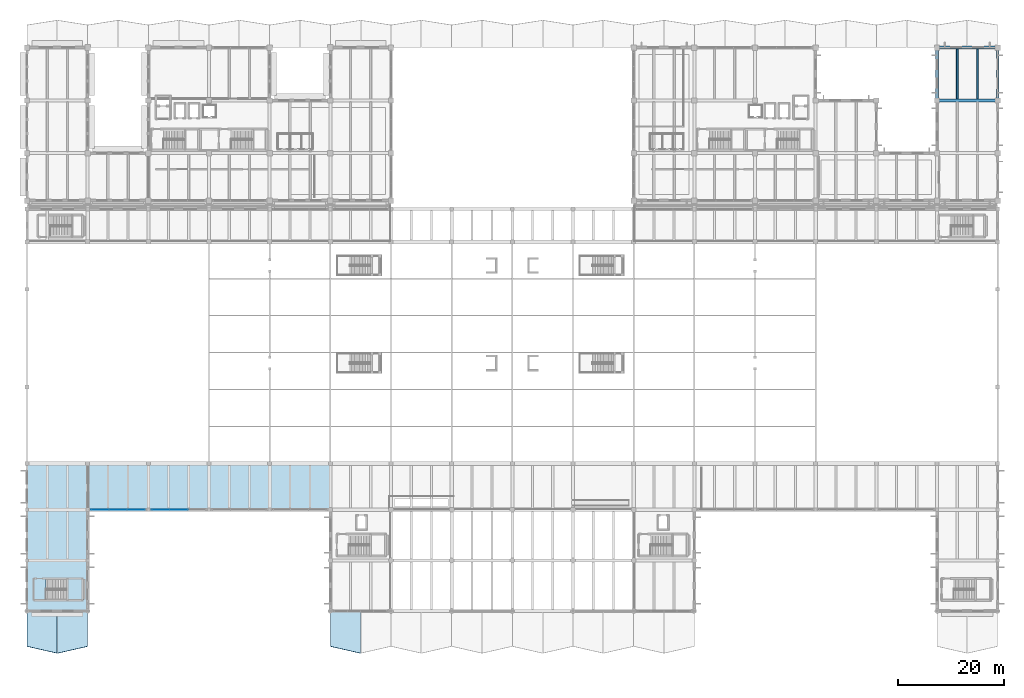
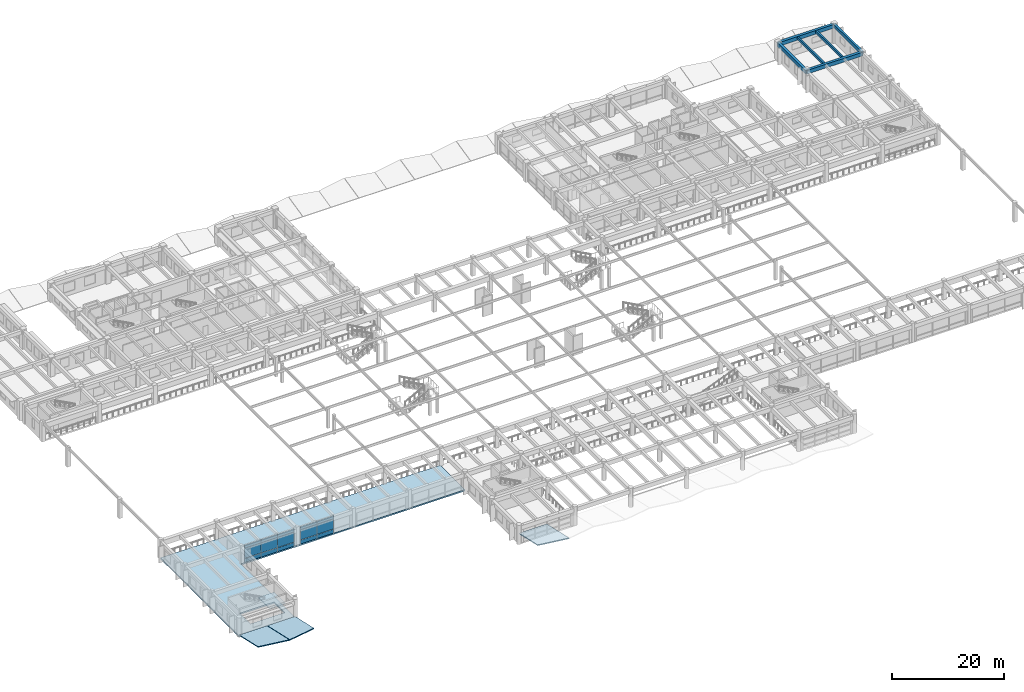
# One storey, part 63 of 98: 15 plates, 6 beams, 5 slabs, 3 elements without a shape of their own.
"""IFC4 building model written with IfcOpenShell, lengths in metres."""

import ifcopenshell
import ifcopenshell.guid

model = None  # the IFC model being written
_history = None  # IfcOwnerHistory: only IFC2X3 demands one
_inside = {}  # id of a spatial element -> (the spatial element, [elements in it])
_under = {}  # id of a project, library or spatial element -> (it, [spatial elements below it])
_declared = {}  # id of a project -> (the project, [libraries it declares])
_typed = {}  # id of a type object -> (the type object, [elements of that type])
_made_of = {}  # id of a material, layer set ... -> (it, [elements and type objects made of it])


def new_model(schema):
    """Start an empty IFC model of exactly this schema.

    Asked for "IFC4X3", IfcOpenShell would pick the latest addendum, in which some entities
    have other attributes; the version numbers below select the first issue.
    IFC2X3 requires an IfcOwnerHistory on every rooted entity: one is made here for all.
    """
    global model, _history
    if schema == "IFC4X3":
        model = ifcopenshell.file(schema_version=(4, 3, 0, 0))
    else:
        model = ifcopenshell.file(schema=schema)
    _inside.clear()
    _under.clear()
    _declared.clear()
    _typed.clear()
    _made_of.clear()
    _history = None
    if model.schema == "IFC2X3":
        org = make("IfcOrganization", Name="unknown")
        user = make(
            "IfcPersonAndOrganization",
            ThePerson=make("IfcPerson", FamilyName="unknown"),
            TheOrganization=org,
        )
        app = make(
            "IfcApplication",
            ApplicationDeveloper=org,
            Version="unknown",
            ApplicationFullName="unknown",
            ApplicationIdentifier="unknown",
        )
        _history = make(
            "IfcOwnerHistory",
            OwningUser=user,
            OwningApplication=app,
            ChangeAction="ADDED",
            CreationDate=0,
        )
    return model


def make(cls, **values):
    """One entity of the class cls with the attributes given. An attribute that is None is left unset."""
    return model.create_entity(
        cls, **{name: value for name, value in values.items() if value is not None}
    )


def rooted(cls, **values):
    """An entity with a GlobalId (a new one), such as an element, a storey or a relation."""
    return make(cls, GlobalId=ifcopenshell.guid.new(), OwnerHistory=_history, **values)


def si_unit(unit_type, name, prefix=None):
    """IfcSIUnit, for example si_unit("LENGTHUNIT", "METRE", prefix="MILLI")."""
    return make("IfcSIUnit", UnitType=unit_type, Prefix=prefix, Name=name)


def assignment(units):
    """IfcUnitAssignment: the units of a project."""
    return None if units is None else make("IfcUnitAssignment", Units=units)


def point(xyz):
    """IfcCartesianPoint."""
    return None if xyz is None else make("IfcCartesianPoint", Coordinates=xyz)


def direction(xyz):
    """IfcDirection."""
    return None if xyz is None else make("IfcDirection", DirectionRatios=xyz)


def frame(location, z_axis=None, x_axis=None):
    """IfcAxis2Placement3D, a coordinate frame: its origin and axes. An axis left out is left unset."""
    return make(
        "IfcAxis2Placement3D",
        Location=point(location),
        Axis=direction(z_axis),
        RefDirection=direction(x_axis),
    )


def frame_2d(location, x_axis=None):
    """IfcAxis2Placement2D, a coordinate frame in the plane: its origin and x axis."""
    return make(
        "IfcAxis2Placement2D", Location=point(location), RefDirection=direction(x_axis)
    )


def origin():
    """The frame at (0, 0, 0) with its axes left unset."""
    return frame((0.0, 0.0, 0.0))


def origin_2d():
    """The frame at (0, 0) in the plane with its x axis left unset."""
    return frame_2d((0.0, 0.0))


def place(relative_to, where):
    """IfcLocalPlacement: puts the frame where relative to a parent placement (None: the world)."""
    return make(
        "IfcLocalPlacement", PlacementRelTo=relative_to, RelativePlacement=where
    )


def context(
    kind, dimensions, precision=None, world=None, true_north=None, identifier=None
):
    """IfcGeometricRepresentationContext, for example the 3D "Model" context."""
    return make(
        "IfcGeometricRepresentationContext",
        ContextIdentifier=identifier,
        ContextType=kind,
        CoordinateSpaceDimension=dimensions,
        Precision=precision,
        WorldCoordinateSystem=world,
        TrueNorth=true_north,
    )


def subcontext(parent, identifier, kind, view, scale=None):
    """IfcGeometricRepresentationSubContext, for example "Body" below "Model"."""
    return make(
        "IfcGeometricRepresentationSubContext",
        ContextIdentifier=identifier,
        ContextType=kind,
        ParentContext=parent,
        TargetScale=scale,
        TargetView=view,
    )


def project(units=None, contexts=None):
    """IfcProject with its units and contexts."""
    return rooted(
        "IfcProject",
        Name="project",
        RepresentationContexts=contexts,
        UnitsInContext=assignment(units),
    )


def spatial(cls, under=None, at=None, **own):
    """A site, building, storey or space (cls), placed at a placement, below another one or the project."""
    s = rooted(cls, ObjectPlacement=at, **own)
    if under is not None:
        _under.setdefault(under.id(), (under, []))[1].append(s)
    return s


def polyline(points):
    """IfcPolyline through the points."""
    return make("IfcPolyline", Points=[point(p) for p in points])


def profile(cls, at=None, kind="AREA", **sizes):
    """A parametric profile (cls). Its sizes go by their IFC names, for example OverallWidth=200.0."""
    return make(cls, ProfileType=kind, Position=at, **sizes)


def rectangle(**sizes):
    """IfcRectangleProfileDef."""
    return profile("IfcRectangleProfileDef", **sizes)


def outline(outer, holes=None, kind="AREA"):
    """IfcArbitraryClosedProfileDef: a profile drawn as a closed curve; with holes, ...WithVoids."""
    if holes is None:
        return make("IfcArbitraryClosedProfileDef", ProfileType=kind, OuterCurve=outer)
    return make(
        "IfcArbitraryProfileDefWithVoids",
        ProfileType=kind,
        OuterCurve=outer,
        InnerCurves=holes,
    )


def extrude(swept, where, along, depth):
    """IfcExtrudedAreaSolid: the profile swept, set in the frame where, extruded along a direction by depth."""
    return make(
        "IfcExtrudedAreaSolid",
        SweptArea=swept,
        Position=where,
        ExtrudedDirection=direction(along),
        Depth=depth,
    )


def shape(context_of_items, identifier, shape_type, items):
    """IfcShapeRepresentation: the items that make up one representation, for example the "Body"."""
    return make(
        "IfcShapeRepresentation",
        ContextOfItems=context_of_items,
        RepresentationIdentifier=identifier,
        RepresentationType=shape_type,
        Items=items,
    )


def material(Name=None, Category=None):
    """IfcMaterial."""
    return make("IfcMaterial", Name=Name, Category=Category)


def layer(
    of_material, thickness, ventilated=None, Name=None, Category=None, Priority=None
):
    """IfcMaterialLayer: one layer of a wall or slab, of a material (None: an air gap)."""
    return make(
        "IfcMaterialLayer",
        Material=of_material,
        LayerThickness=thickness,
        IsVentilated=ventilated,
        Name=Name,
        Category=Category,
        Priority=Priority,
    )


def layer_set(layers, Name=None):
    """IfcMaterialLayerSet."""
    return make("IfcMaterialLayerSet", MaterialLayers=layers, LayerSetName=Name)


def material_profile(
    of_material, cross_section, Name=None, Category=None, Priority=None
):
    """IfcMaterialProfile: a cross section and its material."""
    return make(
        "IfcMaterialProfile",
        Name=Name,
        Material=of_material,
        Profile=cross_section,
        Priority=Priority,
        Category=Category,
    )


def profile_set(profiles, Name=None, composite=None):
    """IfcMaterialProfileSet."""
    return make(
        "IfcMaterialProfileSet",
        Name=Name,
        MaterialProfiles=profiles,
        CompositeProfile=composite,
    )


def made_of(thing, what):
    """Note that an element or type object is made of a material, layer set ...; save() writes the relation."""
    if what is not None:
        _made_of.setdefault(what.id(), (what, []))[1].append(thing)
    return thing


def type_object(cls, material=None, **own):
    """A type object (cls), such as IfcWallType, which elements share."""
    return made_of(rooted(cls, **own), material)


def element(
    cls,
    number,
    at=None,
    inside=None,
    cuts=None,
    type_object=None,
    material=None,
    context=None,
    identifier="Body",
    shape_type=None,
    held_by="IfcProductDefinitionShape",
    body=None,
    shapes=None,
    **own,
):
    """One element of the class cls, such as IfcWall. Its Tag is "e" and its number.

    at: its placement. inside: the storey or other place that contains it. cuts: it is an
    opening in that element (IfcRelVoidsElement). A single representation is given by context,
    identifier, shape_type and body (its items); several are given by shapes. held_by: the class
    of the entity that holds the representations. save() writes the other relations.
    """
    e = rooted(cls, Tag="e%d" % number, ObjectPlacement=at, **own)
    if body is not None:
        shapes = [shape(context, identifier, shape_type, body)]
    if shapes is not None:
        e.Representation = make(held_by, Representations=shapes)
    if inside is not None:
        _inside.setdefault(inside.id(), (inside, []))[1].append(e)
    if cuts is not None:
        rooted(
            "IfcRelVoidsElement", RelatingBuildingElement=cuts, RelatedOpeningElement=e
        )
    if type_object is not None:
        _typed.setdefault(type_object.id(), (type_object, []))[1].append(e)
    return made_of(e, material)


def aggregate(whole, parts):
    """IfcRelAggregates: a whole, such as a stair, and the parts it consists of."""
    return rooted("IfcRelAggregates", RelatingObject=whole, RelatedObjects=parts)


def save(model, path):
    """Write the relations noted so far, then the file.

    IfcRelAggregates (storeys below a building ...), IfcRelContainedInSpatialStructure (elements
    in a storey), IfcRelDefinesByType, IfcRelAssociatesMaterial and IfcRelDeclares: one each for
    every whole, place, type object, material and project.
    """
    for whole, parts in _under.values():
        aggregate(whole, parts)
    for where, things in _inside.values():
        rooted(
            "IfcRelContainedInSpatialStructure",
            RelatedElements=things,
            RelatingStructure=where,
        )
    for kind, things in _typed.values():
        rooted("IfcRelDefinesByType", RelatedObjects=things, RelatingType=kind)
    for what, things in _made_of.values():
        rooted("IfcRelAssociatesMaterial", RelatedObjects=things, RelatingMaterial=what)
    for by, libraries in _declared.values():
        rooted("IfcRelDeclares", RelatingContext=by, RelatedDefinitions=libraries)
    model.write(path)


model = new_model("IFC4")

# Units and contexts
model_context = context("Model", 3, precision=1e-05, world=origin(), true_north=direction((0.0, 1.0)))
body_context = subcontext(model_context, "Body", "Model", "MODEL_VIEW")
ifc_project = project(units=[si_unit("LENGTHUNIT", "METRE"), si_unit("AREAUNIT", "SQUARE_METRE"), si_unit("VOLUMEUNIT", "CUBIC_METRE"), si_unit("PLANEANGLEUNIT", "RADIAN"), si_unit("MASSUNIT", "GRAM", prefix="KILO")], contexts=[model_context])

# Site, building, storey
site_placement = place(None, origin())
site = spatial("IfcSite", under=ifc_project, at=site_placement, CompositionType="ELEMENT")
building_placement = place(site_placement, origin())
building = spatial("IfcBuilding", under=site, at=building_placement, Name="Ologun Quay Terminus", CompositionType="ELEMENT")
storey_placement = place(building_placement, frame((0.0, 0.0, 4.199951171875)))
storey = spatial("IfcBuildingStorey", under=building, at=storey_placement, Name="L01", CompositionType="ELEMENT", Elevation=4.199951171875)

# Beams
ifc_material_1 = material(Name="Concrete C40/50", Category="concrete")
ifc_material_profile_1 = material_profile(ifc_material_1, rectangle(XDim=0.550048828125, YDim=0.800048828125, at=origin_2d()), Name="RC 550x800")
ifc_profile_set_1 = profile_set([ifc_material_profile_1], Name="Concrete C40/50")
beam_type_1 = type_object("IfcBeamType", Name="Courtyard Wing Primary Girder 550x800", PredefinedType="BEAM", material=ifc_profile_set_1)
for number, where, z_axis, x_axis, name in (
    (1, (172.5, 104.800048828125, 3.550048828125), (1.0, 0.0, 0.0), (0.0, 1.0, 0.0), "B4 Beam 16/J L01"),
    (2, (172.5, 114.800048828125, 3.550048828125), (1.0, 0.0, 0.0), (0.0, 1.0, 0.0), "B4 Beam 16/K L01"),
):
    element("IfcBeam", number, at=place(storey_placement, frame(where, z_axis=z_axis, x_axis=x_axis)), inside=storey, type_object=beam_type_1, Name=name, PredefinedType="BEAM", context=body_context, shape_type="SweptSolid", body=[
        extrude(rectangle(XDim=0.550048828125, YDim=0.800048828125, at=origin_2d()), origin(), (0.0, 0.0, 1.0), 11.5),
    ])
beam_1_placement = place(storey_placement, frame((172.5, 104.800048828125, 3.550048828125), z_axis=(0.0, 1.0, 0.0), x_axis=(-1.0, 0.0, 0.0)))
element("IfcBeam", 3, at=beam_1_placement, inside=storey, type_object=beam_type_1, Name="B4 Beam 16/J L01", PredefinedType="BEAM", context=body_context, shape_type="SweptSolid", body=[
    extrude(rectangle(XDim=0.550048828125, YDim=0.800048828125, at=origin_2d()), origin(), (0.0, 0.0, 1.0), 10.0),
])
ifc_material_2 = material(Name="Concrete C40/50", Category="concrete")
ifc_material_profile_2 = material_profile(ifc_material_2, rectangle(XDim=0.35009765625, YDim=0.550048828125, at=origin_2d()), Name="RC 350x550")
ifc_profile_set_2 = profile_set([ifc_material_profile_2], Name="Concrete C40/50")
beam_type_2 = type_object("IfcBeamType", Name="Courtyard Wing Secondary Joist 350x550", PredefinedType="JOIST", material=ifc_profile_set_2)
for number, where, z_axis, x_axis, name in (
    (4, (176.333251953125, 105.074951171875, 3.675048828125), (0.0, 1.0, 0.0), (-1.0, 0.0, 0.0), "J2 Beam 16/J L01"),
    (5, (180.166748046875, 105.074951171875, 3.675048828125), (0.0, 1.0, 0.0), (-1.0, 0.0, 0.0), "J2 Beam 16/J L01"),
):
    element("IfcBeam", number, at=place(storey_placement, frame(where, z_axis=z_axis, x_axis=x_axis)), inside=storey, type_object=beam_type_2, Name=name, PredefinedType="JOIST", context=body_context, shape_type="SweptSolid", body=[
        extrude(rectangle(XDim=0.35009765625, YDim=0.550048828125, at=origin_2d()), origin(), (0.0, 0.0, 1.0), 9.449951171875),
    ])
ifc_material_3 = material(Name="Concrete C40/50", Category="concrete")
ifc_material_profile_3 = material_profile(ifc_material_3, rectangle(XDim=0.449951171875, YDim=0.699951171875, at=origin_2d()), Name="RC 450x700")
ifc_profile_set_3 = profile_set([ifc_material_profile_3], Name="Concrete C40/50")
beam_type_3 = type_object("IfcBeamType", Name="Perimeter Spandrel Beam 450x700", PredefinedType="SPANDREL", material=ifc_profile_set_3)
beam_2_placement = place(storey_placement, frame((184.0, 104.800048828125, 3.60009765625), z_axis=(0.0, 1.0, 0.0), x_axis=(-1.0, 0.0, 0.0)))
element("IfcBeam", 6, at=beam_2_placement, inside=storey, type_object=beam_type_3, Name="SP1 Beam 17/J L01", PredefinedType="SPANDREL", context=body_context, shape_type="SweptSolid", body=[
    extrude(rectangle(XDim=0.449951171875, YDim=0.699951171875, at=origin_2d()), origin(), (0.0, 0.0, 1.0), 10.0),
])

# Slabs
ifc_material_4 = material(Name="Concrete C45/55", Category="concrete")
ifc_layer_1 = layer(ifc_material_4, 0.179931640625)
ifc_layer_set_1 = layer_set([ifc_layer_1], Name="Concrete C45/55")
slab_type_1 = type_object("IfcSlabType", Name="Folded Plate Concrete Canopy Slab 180", PredefinedType="ROOF", material=ifc_layer_set_1)
slab_1_placement = place(storey_placement, frame((0.0, 1.300048828125, 1.70751953125), z_axis=(3.569272e-06, 0.219520291869, 0.975607934288), x_axis=(0.97392089365, -0.221354342059, 0.049803093927)))
element("IfcSlab", 7, at=slab_1_placement, inside=storey, type_object=slab_type_1, Name="SL-CNP South Gull-Wing Canopy Bay 1W", PredefinedType="ROOF", context=body_context, shape_type="SweptSolid", body=[
    extrude(outline(polyline([(0.0, 0.0), (5.873136864087274, -6.938893903907228e-17), (4.012654126758083, 7.986161766913908), (-1.5581448520785426, 6.6883699571137765), (0.0, 0.0)])), origin(), (0.0, 0.0, -1.0), 0.179931640625),
])
slab_2_placement = place(storey_placement, frame((5.780029296875, 0.0, 2.0), z_axis=(-3.569272e-06, 0.219520291869, 0.975607934288), x_axis=(0.97392089365, 0.221354342059, -0.049803093927)))
element("IfcSlab", 8, at=slab_2_placement, inside=storey, type_object=slab_type_1, Name="SL-CNP South Gull-Wing Canopy Bay 1E", PredefinedType="ROOF", context=body_context, shape_type="SweptSolid", body=[
    extrude(outline(polyline([(0.0, 0.0), (5.873136864087274, 6.938893903907228e-17), (7.431281716165817, 6.6883699571137765), (1.8604827373291908, 7.986161766913907), (0.0, 0.0)])), origin(), (0.0, 0.0, -1.0), 0.179931640625),
])
slab_3_placement = place(storey_placement, frame((57.5, 1.300048828125, 3.70751953125), z_axis=(3.569272e-06, 0.219520291869, 0.975607934288), x_axis=(0.97392089365, -0.221354342059, 0.049803093927)))
element("IfcSlab", 9, at=slab_3_placement, inside=storey, type_object=slab_type_1, Name="SL-CNP South Gull-Wing Canopy Bay 6W", PredefinedType="ROOF", context=body_context, shape_type="SweptSolid", body=[
    extrude(outline(polyline([(0.0, 0.0), (5.873136864087274, -6.938893903907228e-17), (4.012654126758083, 7.986161766913908), (-1.5581448520785426, 6.6883699571137765), (0.0, 0.0)])), origin(), (0.0, 0.0, -1.0), 0.179931640625),
])

# Curtain wall, plates
ifc_material_5 = material(Name="Aluminium 6063-T6", Category="aluminium")
curtain_wall_type = type_object("IfcCurtainWallType", Name="Forecourt Mezzanine Curtain Wall 10700x3850", PredefinedType="USERDEFINED", material=ifc_material_5)
curtain_wall_1_placement = place(storey_placement, origin())
curtain_wall_1 = element("IfcCurtainWall", 10, at=curtain_wall_1_placement, inside=storey, type_object=curtain_wall_type, Name="CW-04 Curtain Wall CW-L01-010", ObjectType="UNITISED CURTAIN WALL", PredefinedType="USERDEFINED")
ifc_material_6 = material(Name="Aluminium 6063-T6", Category="aluminium")
ifc_layer_2 = layer(ifc_material_6, 0.050048828125)
ifc_layer_set_2 = layer_set([ifc_layer_2], Name="Aluminium 6063-T6")
plate_type_1 = type_object("IfcPlateType", Name="Insulated Aluminium Shadow-Box Spandrel 50", PredefinedType="CURTAIN_PANEL", material=ifc_layer_set_2)
plate_1_placement = place(storey_placement, frame((13.86328125, 27.199951171875, 0.02978515625), z_axis=(0.0, 0.0, 1.0), x_axis=(1.0, 0.0, 0.0)))
plate_1 = element("IfcPlate", 11, at=plate_1_placement, type_object=plate_type_1, Name="CW-L01-010 Panel B1-1", PredefinedType="CURTAIN_PANEL", context=body_context, shape_type="SweptSolid", body=[
    extrude(rectangle(XDim=3.38671875, YDim=0.050048828125, at=origin_2d()), origin(), (0.0, 0.0, 1.0), 0.840087890625),
])
plate_2_placement = place(storey_placement, frame((17.25, 27.199951171875, 0.02978515625), z_axis=(0.0, 0.0, 1.0), x_axis=(1.0, 0.0, 0.0)))
plate_2 = element("IfcPlate", 12, at=plate_2_placement, type_object=plate_type_1, Name="CW-L01-010 Panel B2-1", PredefinedType="CURTAIN_PANEL", context=body_context, shape_type="SweptSolid", body=[
    extrude(rectangle(XDim=3.38671875, YDim=0.050048828125, at=origin_2d()), origin(), (0.0, 0.0, 1.0), 0.840087890625),
])
plate_3_placement = place(storey_placement, frame((20.63671875, 27.199951171875, 0.02978515625), z_axis=(0.0, 0.0, 1.0), x_axis=(1.0, 0.0, 0.0)))
plate_3 = element("IfcPlate", 13, at=plate_3_placement, type_object=plate_type_1, Name="CW-L01-010 Panel B3-1", PredefinedType="CURTAIN_PANEL", context=body_context, shape_type="SweptSolid", body=[
    extrude(rectangle(XDim=3.38671875, YDim=0.050048828125, at=origin_2d()), origin(), (0.0, 0.0, 1.0), 0.840087890625),
])

curtain_wall_2_placement = place(storey_placement, origin())
curtain_wall_2 = element("IfcCurtainWall", 14, at=curtain_wall_2_placement, inside=storey, type_object=curtain_wall_type, Name="CW-04 Curtain Wall CW-L01-011", ObjectType="UNITISED CURTAIN WALL", PredefinedType="USERDEFINED")
plate_4_placement = place(storey_placement, frame((25.36328125, 27.199951171875, 0.02978515625), z_axis=(0.0, 0.0, 1.0), x_axis=(1.0, 0.0, 0.0)))
plate_4 = element("IfcPlate", 15, at=plate_4_placement, type_object=plate_type_1, Name="CW-L01-011 Panel B1-1", PredefinedType="CURTAIN_PANEL", context=body_context, shape_type="SweptSolid", body=[
    extrude(rectangle(XDim=3.38671875, YDim=0.050048828125, at=origin_2d()), origin(), (0.0, 0.0, 1.0), 0.840087890625),
])
plate_5_placement = place(storey_placement, frame((28.75, 27.199951171875, 0.02978515625), z_axis=(0.0, 0.0, 1.0), x_axis=(1.0, 0.0, 0.0)))
plate_5 = element("IfcPlate", 16, at=plate_5_placement, type_object=plate_type_1, Name="CW-L01-011 Panel B2-1", PredefinedType="CURTAIN_PANEL", context=body_context, shape_type="SweptSolid", body=[
    extrude(rectangle(XDim=3.38671875, YDim=0.050048828125, at=origin_2d()), origin(), (0.0, 0.0, 1.0), 0.840087890625),
])

# Slab
ifc_material_7 = material(Name="Concrete C40/50", Category="concrete")
ifc_layer_3 = layer(ifc_material_7, 0.300048828125)
ifc_layer_set_3 = layer_set([ifc_layer_3], Name="Concrete C40/50")
slab_type_2 = type_object("IfcSlabType", Name="Passenger Platform Deck Slab 300", PredefinedType="FLOOR", material=ifc_layer_set_3)
slab_4_placement = place(storey_placement, frame((0.0, 0.0, -0.300048828125)))
element("IfcSlab", 17, at=slab_4_placement, inside=storey, type_object=slab_type_2, Name="SL-PLT South Mezzanine Slab 1", PredefinedType="FLOOR", context=body_context, shape_type="SweptSolid", body=[
    extrude(outline(polyline([(0.0, 8.0), (11.5, 8.0), (11.5, 27.199951171875), (57.5, 27.199951171875), (57.5, 36.0), (0.0, 36.0), (0.0, 8.0)]), holes=[polyline([(3.6298828125, 10.199951171875), (3.6298828125, 14.0), (10.64990234375, 14.0), (10.64990234375, 10.199951171875), (3.6298828125, 10.199951171875)])]), origin(), (0.0, 0.0, 1.0), 0.300048828125),
])

# Stair, slab
ifc_material_8 = material(Name="Concrete C40/50", Category="concrete")
stair_type = type_object("IfcStairType", Name="Station Concourse Escape Stair 1800", PredefinedType="HALF_TURN_STAIR", material=ifc_material_8)
stair_placement = place(storey_placement, origin())
stair = element("IfcStair", 18, at=stair_placement, inside=storey, type_object=stair_type, Name="ST-S1 Stair L01", PredefinedType="HALF_TURN_STAIR")
ifc_material_9 = material(Name="Precast Concrete C40/50", Category="concrete")
ifc_layer_4 = layer(ifc_material_9, 0.179931640625)
ifc_layer_set_4 = layer_set([ifc_layer_4], Name="Precast Concrete C40/50")
slab_type_3 = type_object("IfcSlabType", Name="Precast Stair Half-Landing Slab 180", PredefinedType="LANDING", material=ifc_layer_set_4)
slab_5_placement = place(storey_placement, frame((0.0, 0.0, 1.920166015625)))
slab_5 = element("IfcSlab", 19, at=slab_5_placement, type_object=slab_type_3, Name="ST-S1 Half-Landing L01", PredefinedType="LANDING", context=body_context, shape_type="SweptSolid", body=[
    extrude(outline(polyline([(7.469970703125, 10.1201171875), (10.72998046875, 10.1201171875), (10.72998046875, 14.080078125), (7.469970703125, 14.080078125), (7.469970703125, 10.1201171875)])), origin(), (0.0, 0.0, 1.0), 0.179931640625),
])
aggregate(stair, [slab_5])

# Plate
ifc_material_10 = material(Name="Glass", Category="glass")
ifc_layer_5 = layer(ifc_material_10, 0.028076171875)
ifc_layer_set_5 = layer_set([ifc_layer_5], Name="Glass")
plate_type_2 = type_object("IfcPlateType", Name="Solar-Control Double Glazed Panel 28", PredefinedType="CURTAIN_PANEL", material=ifc_layer_set_5)
plate_6_placement = place(storey_placement, frame((13.86328125, 27.199951171875, 0.93017578125), z_axis=(0.0, 0.0, 1.0), x_axis=(1.0, 0.0, 0.0)))
plate_6 = element("IfcPlate", 20, at=plate_6_placement, type_object=plate_type_2, Name="CW-L01-010 Panel B1-2", PredefinedType="CURTAIN_PANEL", context=body_context, shape_type="SweptSolid", body=[
    extrude(rectangle(XDim=3.38671875, YDim=0.028076171875, at=origin_2d()), origin(), (0.0, 0.0, 1.0), 2.179931640625),
])

plate_7_placement = place(storey_placement, frame((13.86328125, 27.199951171875, 3.169921875), z_axis=(0.0, 0.0, 1.0), x_axis=(1.0, 0.0, 0.0)))
plate_7 = element("IfcPlate", 21, at=plate_7_placement, type_object=plate_type_2, Name="CW-L01-010 Panel B1-3", PredefinedType="CURTAIN_PANEL", context=body_context, shape_type="SweptSolid", body=[
    extrude(rectangle(XDim=3.38671875, YDim=0.028076171875, at=origin_2d()), origin(), (0.0, 0.0, 1.0), 0.639892578125),
])

plate_8_placement = place(storey_placement, frame((17.25, 27.199951171875, 0.93017578125), z_axis=(0.0, 0.0, 1.0), x_axis=(1.0, 0.0, 0.0)))
plate_8 = element("IfcPlate", 22, at=plate_8_placement, type_object=plate_type_2, Name="CW-L01-010 Panel B2-2", PredefinedType="CURTAIN_PANEL", context=body_context, shape_type="SweptSolid", body=[
    extrude(rectangle(XDim=3.38671875, YDim=0.028076171875, at=origin_2d()), origin(), (0.0, 0.0, 1.0), 2.179931640625),
])

plate_9_placement = place(storey_placement, frame((17.25, 27.199951171875, 3.169921875), z_axis=(0.0, 0.0, 1.0), x_axis=(1.0, 0.0, 0.0)))
plate_9 = element("IfcPlate", 23, at=plate_9_placement, type_object=plate_type_2, Name="CW-L01-010 Panel B2-3", PredefinedType="CURTAIN_PANEL", context=body_context, shape_type="SweptSolid", body=[
    extrude(rectangle(XDim=3.38671875, YDim=0.028076171875, at=origin_2d()), origin(), (0.0, 0.0, 1.0), 0.639892578125),
])

plate_10_placement = place(storey_placement, frame((20.63671875, 27.199951171875, 0.93017578125), z_axis=(0.0, 0.0, 1.0), x_axis=(1.0, 0.0, 0.0)))
plate_10 = element("IfcPlate", 24, at=plate_10_placement, type_object=plate_type_2, Name="CW-L01-010 Panel B3-2", PredefinedType="CURTAIN_PANEL", context=body_context, shape_type="SweptSolid", body=[
    extrude(rectangle(XDim=3.38671875, YDim=0.028076171875, at=origin_2d()), origin(), (0.0, 0.0, 1.0), 2.179931640625),
])

plate_11_placement = place(storey_placement, frame((20.63671875, 27.199951171875, 3.169921875), z_axis=(0.0, 0.0, 1.0), x_axis=(1.0, 0.0, 0.0)))
plate_11 = element("IfcPlate", 25, at=plate_11_placement, type_object=plate_type_2, Name="CW-L01-010 Panel B3-3", PredefinedType="CURTAIN_PANEL", context=body_context, shape_type="SweptSolid", body=[
    extrude(rectangle(XDim=3.38671875, YDim=0.028076171875, at=origin_2d()), origin(), (0.0, 0.0, 1.0), 0.639892578125),
])

aggregate(curtain_wall_1, [plate_1, plate_6, plate_7, plate_2, plate_8, plate_9, plate_3, plate_10, plate_11])

plate_12_placement = place(storey_placement, frame((25.36328125, 27.199951171875, 0.93017578125), z_axis=(0.0, 0.0, 1.0), x_axis=(1.0, 0.0, 0.0)))
plate_12 = element("IfcPlate", 26, at=plate_12_placement, type_object=plate_type_2, Name="CW-L01-011 Panel B1-2", PredefinedType="CURTAIN_PANEL", context=body_context, shape_type="SweptSolid", body=[
    extrude(rectangle(XDim=3.38671875, YDim=0.028076171875, at=origin_2d()), origin(), (0.0, 0.0, 1.0), 2.179931640625),
])

plate_13_placement = place(storey_placement, frame((25.36328125, 27.199951171875, 3.169921875), z_axis=(0.0, 0.0, 1.0), x_axis=(1.0, 0.0, 0.0)))
plate_13 = element("IfcPlate", 27, at=plate_13_placement, type_object=plate_type_2, Name="CW-L01-011 Panel B1-3", PredefinedType="CURTAIN_PANEL", context=body_context, shape_type="SweptSolid", body=[
    extrude(rectangle(XDim=3.38671875, YDim=0.028076171875, at=origin_2d()), origin(), (0.0, 0.0, 1.0), 0.639892578125),
])

plate_14_placement = place(storey_placement, frame((28.75, 27.199951171875, 0.93017578125), z_axis=(0.0, 0.0, 1.0), x_axis=(1.0, 0.0, 0.0)))
plate_14 = element("IfcPlate", 28, at=plate_14_placement, type_object=plate_type_2, Name="CW-L01-011 Panel B2-2", PredefinedType="CURTAIN_PANEL", context=body_context, shape_type="SweptSolid", body=[
    extrude(rectangle(XDim=3.38671875, YDim=0.028076171875, at=origin_2d()), origin(), (0.0, 0.0, 1.0), 2.179931640625),
])

plate_15_placement = place(storey_placement, frame((28.75, 27.199951171875, 3.169921875), z_axis=(0.0, 0.0, 1.0), x_axis=(1.0, 0.0, 0.0)))
plate_15 = element("IfcPlate", 29, at=plate_15_placement, type_object=plate_type_2, Name="CW-L01-011 Panel B2-3", PredefinedType="CURTAIN_PANEL", context=body_context, shape_type="SweptSolid", body=[
    extrude(rectangle(XDim=3.38671875, YDim=0.028076171875, at=origin_2d()), origin(), (0.0, 0.0, 1.0), 0.639892578125),
])

aggregate(curtain_wall_2, [plate_4, plate_12, plate_13, plate_5, plate_14, plate_15])

save(model, "model.ifc")
